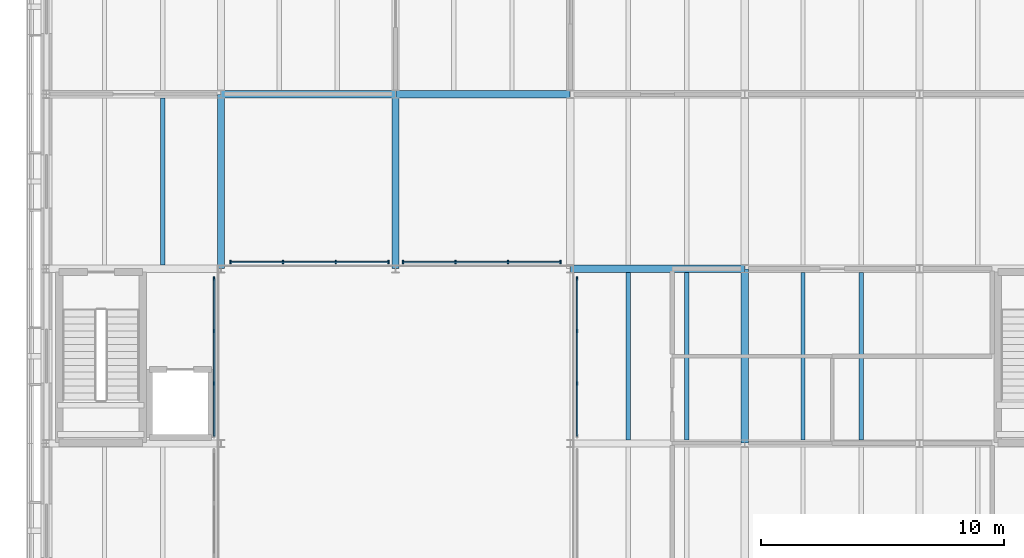
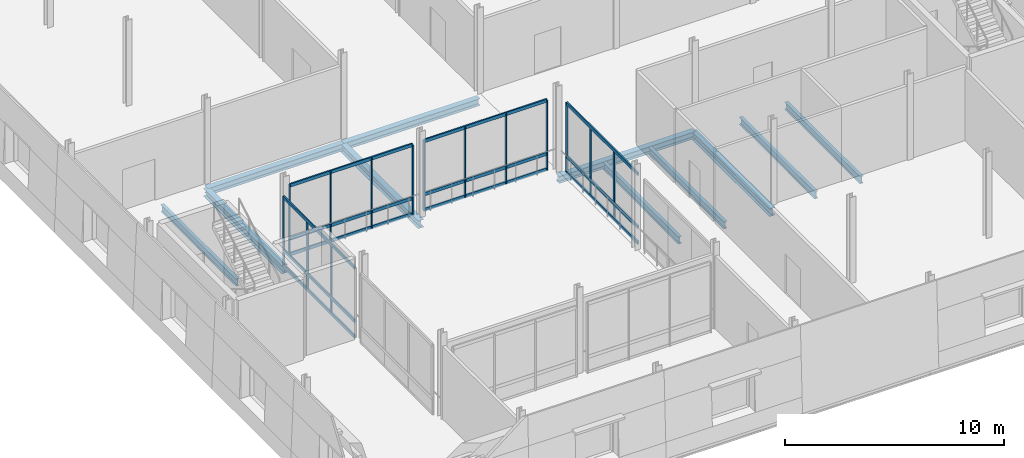
# One storey, part 40 of 121: 26 members, 11 beams, 4 elements without a shape of their own.
"""IFC4 building model written with IfcOpenShell, lengths in metres."""

from ifc_helpers import new_model, si_unit, direction, frame, origin, origin_2d, place, context, subcontext, project, spatial, rectangle, i_section, extrude, material, layer, layer_set, material_profile, profile_set, type_object, element, aggregate, save


model = new_model("IFC4")

# Units and contexts
model_context = context("Model", 3, precision=1e-05, world=origin(), true_north=direction((0.0, 1.0)))
body_context = subcontext(model_context, "Body", "Model", "MODEL_VIEW")
ifc_project = project(units=[si_unit("LENGTHUNIT", "METRE"), si_unit("AREAUNIT", "SQUARE_METRE"), si_unit("VOLUMEUNIT", "CUBIC_METRE"), si_unit("PLANEANGLEUNIT", "RADIAN"), si_unit("MASSUNIT", "GRAM", prefix="KILO")], contexts=[model_context])

# Site, building, storey
site_placement = place(None, origin())
site = spatial("IfcSite", under=ifc_project, at=site_placement, CompositionType="ELEMENT")
building_placement = place(site_placement, origin())
building = spatial("IfcBuilding", under=site, at=building_placement, Name="Narikvali Park Central Library", CompositionType="ELEMENT")
storey_placement = place(building_placement, frame((0.0, 0.0, 5.39990234375)))
storey = spatial("IfcBuildingStorey", under=building, at=storey_placement, Name="L01", CompositionType="ELEMENT", Elevation=5.39990234375)

# Beams
ifc_material_1 = material(Name="Steel S355", Category="steel")
ifc_material_profile_1 = material_profile(ifc_material_1, i_section(OverallWidth=0.179931640625, OverallDepth=0.39990234375, WebThickness=0.008544921875, FlangeThickness=0.013427734375, FilletRadius=0.02099609375, at=origin_2d()), Name="IPE 400")
ifc_profile_set_1 = profile_set([ifc_material_profile_1], Name="Steel S355")
beam_type_1 = type_object("IfcBeamType", Name="Composite Floor Joist IPE400", PredefinedType="JOIST", material=ifc_profile_set_1)
for number, where, z_axis, x_axis, name in (
    (1, (127.199951171875, 21.75, -0.47998046875), (0.0, 1.0, 0.0), (-1.0, 0.0, 0.0), "V6 L01 Composite Joist 2"),
    (2, (146.39990234375, 14.550048828125, -0.47998046875), (0.0, 1.0, 0.0), (-1.0, 0.0, 0.0), "V6 L01 Composite Joist 1"),
    (3, (148.800048828125, 14.550048828125, -0.47998046875), (0.0, 1.0, 0.0), (-1.0, 0.0, 0.0), "V6 L01 Composite Joist 2"),
    (4, (153.60009765625, 14.550048828125, -0.47998046875), (0.0, 1.0, 0.0), (-1.0, 0.0, 0.0), "V6 L01 Composite Joist 1"),
    (5, (156.0, 14.550048828125, -0.47998046875), (0.0, 1.0, 0.0), (-1.0, 0.0, 0.0), "V6 L01 Composite Joist 2"),
):
    element("IfcBeam", number, at=place(storey_placement, frame(where, z_axis=z_axis, x_axis=x_axis)), inside=storey, type_object=beam_type_1, Name=name, PredefinedType="JOIST", context=body_context, shape_type="SweptSolid", body=[
        extrude(i_section(OverallWidth=0.179931640625, OverallDepth=0.39990234375, WebThickness=0.008544921875, FlangeThickness=0.013427734375, FilletRadius=0.02099609375, at=origin_2d()), origin(), (0.0, 0.0, 1.0), 6.89990234375),
    ])

# Curtain wall, members
ifc_material_2 = material(Name="Anodised Bronze Aluminium", Category="aluminium")
ifc_layer = layer(ifc_material_2, 0.219970703125, Name="Anodised Bronze Aluminium")
ifc_layer_set = layer_set([ifc_layer], Name="Anodised Bronze Aluminium")
curtain_wall_type = type_object("IfcCurtainWallType", Name="Atrium Tall Curtain Wall System", PredefinedType="NOTDEFINED", material=ifc_layer_set)
curtain_wall_1_placement = place(storey_placement, origin())
curtain_wall_1 = element("IfcCurtainWall", 6, at=curtain_wall_1_placement, inside=storey, type_object=curtain_wall_type, Name="Atrium Tall Curtain Wall System CW-INT-V6-L01-W2", PredefinedType="NOTDEFINED")
ifc_material_profile_2 = material_profile(ifc_material_2, rectangle(XDim=0.074951171875, YDim=0.179931640625, at=origin_2d()), Name="CW TRANSOM 75x180")
ifc_profile_set_2 = profile_set([ifc_material_profile_2], Name="Anodised Bronze Aluminium")
member_type_1 = type_object("IfcMemberType", Name="Curtain Wall Heavy Transom 75x180", PredefinedType="USERDEFINED", material=ifc_profile_set_2)
member_1_placement = place(storey_placement, frame((129.320068359375, 14.699951171875, 0.030029296875), z_axis=(0.0, 1.0, 0.0), x_axis=(-1.0, 0.0, 0.0)))
member_1 = element("IfcMember", 7, at=member_1_placement, type_object=member_type_1, Name="CW-INT-V6-L01-W2 Transom 00", ObjectType="TRANSOM", PredefinedType="USERDEFINED", context=body_context, shape_type="SweptSolid", body=[
    extrude(rectangle(XDim=0.074951171875, YDim=0.179931640625, at=origin_2d()), origin(), (0.0, 0.0, 1.0), 6.5),
])
member_2_placement = place(storey_placement, frame((129.320068359375, 14.699951171875, 0.900146484375), z_axis=(0.0, 1.0, 0.0), x_axis=(-1.0, 0.0, 0.0)))
member_2 = element("IfcMember", 8, at=member_2_placement, type_object=member_type_1, Name="CW-INT-V6-L01-W2 Transom 01", ObjectType="TRANSOM", PredefinedType="USERDEFINED", context=body_context, shape_type="SweptSolid", body=[
    extrude(rectangle(XDim=0.074951171875, YDim=0.179931640625, at=origin_2d()), origin(), (0.0, 0.0, 1.0), 6.5),
])
member_3_placement = place(storey_placement, frame((129.320068359375, 14.699951171875, 3.8701171875), z_axis=(0.0, 1.0, 0.0), x_axis=(-1.0, 0.0, 0.0)))
member_3 = element("IfcMember", 9, at=member_3_placement, type_object=member_type_1, Name="CW-INT-V6-L01-W2 Transom 02", ObjectType="TRANSOM", PredefinedType="USERDEFINED", context=body_context, shape_type="SweptSolid", body=[
    extrude(rectangle(XDim=0.074951171875, YDim=0.179931640625, at=origin_2d()), origin(), (0.0, 0.0, 1.0), 6.5),
])

curtain_wall_2_placement = place(storey_placement, origin())
curtain_wall_2 = element("IfcCurtainWall", 10, at=curtain_wall_2_placement, inside=storey, type_object=curtain_wall_type, Name="Atrium Tall Curtain Wall System CW-INT-V6-L01-E2", PredefinedType="NOTDEFINED")
member_4_placement = place(storey_placement, frame((144.280029296875, 14.699951171875, 0.030029296875), z_axis=(0.0, 1.0, 0.0), x_axis=(-1.0, 0.0, 0.0)))
member_4 = element("IfcMember", 11, at=member_4_placement, type_object=member_type_1, Name="CW-INT-V6-L01-E2 Transom 00", ObjectType="TRANSOM", PredefinedType="USERDEFINED", context=body_context, shape_type="SweptSolid", body=[
    extrude(rectangle(XDim=0.074951171875, YDim=0.179931640625, at=origin_2d()), origin(), (0.0, 0.0, 1.0), 6.5),
])
member_5_placement = place(storey_placement, frame((144.280029296875, 14.699951171875, 0.900146484375), z_axis=(0.0, 1.0, 0.0), x_axis=(-1.0, 0.0, 0.0)))
member_5 = element("IfcMember", 12, at=member_5_placement, type_object=member_type_1, Name="CW-INT-V6-L01-E2 Transom 01", ObjectType="TRANSOM", PredefinedType="USERDEFINED", context=body_context, shape_type="SweptSolid", body=[
    extrude(rectangle(XDim=0.074951171875, YDim=0.179931640625, at=origin_2d()), origin(), (0.0, 0.0, 1.0), 6.5),
])
member_6_placement = place(storey_placement, frame((144.280029296875, 14.699951171875, 3.8701171875), z_axis=(0.0, 1.0, 0.0), x_axis=(-1.0, 0.0, 0.0)))
member_6 = element("IfcMember", 13, at=member_6_placement, type_object=member_type_1, Name="CW-INT-V6-L01-E2 Transom 02", ObjectType="TRANSOM", PredefinedType="USERDEFINED", context=body_context, shape_type="SweptSolid", body=[
    extrude(rectangle(XDim=0.074951171875, YDim=0.179931640625, at=origin_2d()), origin(), (0.0, 0.0, 1.0), 6.5),
])

curtain_wall_3_placement = place(storey_placement, origin())
curtain_wall_3 = element("IfcCurtainWall", 14, at=curtain_wall_3_placement, inside=storey, type_object=curtain_wall_type, Name="Atrium Tall Curtain Wall System CW-INT-V6-L01-N1", PredefinedType="NOTDEFINED")
member_7_placement = place(storey_placement, frame((130.0, 21.8798828125, 0.030029296875), z_axis=(1.0, 0.0, 0.0), x_axis=(0.0, 1.0, 0.0)))
member_7 = element("IfcMember", 15, at=member_7_placement, type_object=member_type_1, Name="CW-INT-V6-L01-N1 Transom 00", ObjectType="TRANSOM", PredefinedType="USERDEFINED", context=body_context, shape_type="SweptSolid", body=[
    extrude(rectangle(XDim=0.074951171875, YDim=0.179931640625, at=origin_2d()), origin(), (0.0, 0.0, 1.0), 6.5),
])
member_8_placement = place(storey_placement, frame((130.0, 21.8798828125, 0.900146484375), z_axis=(1.0, 0.0, 0.0), x_axis=(0.0, 1.0, 0.0)))
member_8 = element("IfcMember", 16, at=member_8_placement, type_object=member_type_1, Name="CW-INT-V6-L01-N1 Transom 01", ObjectType="TRANSOM", PredefinedType="USERDEFINED", context=body_context, shape_type="SweptSolid", body=[
    extrude(rectangle(XDim=0.074951171875, YDim=0.179931640625, at=origin_2d()), origin(), (0.0, 0.0, 1.0), 6.5),
])
member_9_placement = place(storey_placement, frame((130.0, 21.8798828125, 3.8701171875), z_axis=(1.0, 0.0, 0.0), x_axis=(0.0, 1.0, 0.0)))
member_9 = element("IfcMember", 17, at=member_9_placement, type_object=member_type_1, Name="CW-INT-V6-L01-N1 Transom 02", ObjectType="TRANSOM", PredefinedType="USERDEFINED", context=body_context, shape_type="SweptSolid", body=[
    extrude(rectangle(XDim=0.074951171875, YDim=0.179931640625, at=origin_2d()), origin(), (0.0, 0.0, 1.0), 6.5),
])

curtain_wall_4_placement = place(storey_placement, origin())
curtain_wall_4 = element("IfcCurtainWall", 18, at=curtain_wall_4_placement, inside=storey, type_object=curtain_wall_type, Name="Atrium Tall Curtain Wall System CW-INT-V6-L01-N2", PredefinedType="NOTDEFINED")
member_10_placement = place(storey_placement, frame((137.10009765625, 21.8798828125, 0.030029296875), z_axis=(1.0, 0.0, 0.0), x_axis=(0.0, 1.0, 0.0)))
member_10 = element("IfcMember", 19, at=member_10_placement, type_object=member_type_1, Name="CW-INT-V6-L01-N2 Transom 00", ObjectType="TRANSOM", PredefinedType="USERDEFINED", context=body_context, shape_type="SweptSolid", body=[
    extrude(rectangle(XDim=0.074951171875, YDim=0.179931640625, at=origin_2d()), origin(), (0.0, 0.0, 1.0), 6.5),
])
member_11_placement = place(storey_placement, frame((137.10009765625, 21.8798828125, 0.900146484375), z_axis=(1.0, 0.0, 0.0), x_axis=(0.0, 1.0, 0.0)))
member_11 = element("IfcMember", 20, at=member_11_placement, type_object=member_type_1, Name="CW-INT-V6-L01-N2 Transom 01", ObjectType="TRANSOM", PredefinedType="USERDEFINED", context=body_context, shape_type="SweptSolid", body=[
    extrude(rectangle(XDim=0.074951171875, YDim=0.179931640625, at=origin_2d()), origin(), (0.0, 0.0, 1.0), 6.5),
])
member_12_placement = place(storey_placement, frame((137.10009765625, 21.8798828125, 3.8701171875), z_axis=(1.0, 0.0, 0.0), x_axis=(0.0, 1.0, 0.0)))
member_12 = element("IfcMember", 21, at=member_12_placement, type_object=member_type_1, Name="CW-INT-V6-L01-N2 Transom 02", ObjectType="TRANSOM", PredefinedType="USERDEFINED", context=body_context, shape_type="SweptSolid", body=[
    extrude(rectangle(XDim=0.074951171875, YDim=0.179931640625, at=origin_2d()), origin(), (0.0, 0.0, 1.0), 6.5),
])

# Member
ifc_material_profile_3 = material_profile(ifc_material_2, rectangle(XDim=0.06005859375, YDim=0.14990234375, at=origin_2d()), Name="CW MULLION 60x150")
ifc_profile_set_3 = profile_set([ifc_material_profile_3], Name="Anodised Bronze Aluminium")
member_type_2 = type_object("IfcMemberType", Name="Curtain Wall Mullion 60x150", PredefinedType="MULLION", material=ifc_profile_set_3)
member_13_placement = place(storey_placement, frame((129.320068359375, 16.86669921875, -0.010009765625), z_axis=(0.0, 0.0, 1.0), x_axis=(1.0, 0.0, 0.0)))
member_13 = element("IfcMember", 22, at=member_13_placement, type_object=member_type_2, Name="CW-INT-V6-L01-W2 Mullion 01", PredefinedType="MULLION", context=body_context, shape_type="SweptSolid", body=[
    extrude(rectangle(XDim=0.06005859375, YDim=0.14990234375, at=origin_2d()), origin(), (0.0, 0.0, 1.0), 3.91015625),
])

member_14_placement = place(storey_placement, frame((129.320068359375, 19.033203125, -0.010009765625), z_axis=(0.0, 0.0, 1.0), x_axis=(1.0, 0.0, 0.0)))
member_14 = element("IfcMember", 23, at=member_14_placement, type_object=member_type_2, Name="CW-INT-V6-L01-W2 Mullion 02", PredefinedType="MULLION", context=body_context, shape_type="SweptSolid", body=[
    extrude(rectangle(XDim=0.06005859375, YDim=0.14990234375, at=origin_2d()), origin(), (0.0, 0.0, 1.0), 3.91015625),
])

member_15_placement = place(storey_placement, frame((129.320068359375, 21.199951171875, -0.010009765625), z_axis=(0.0, 0.0, 1.0), x_axis=(1.0, 0.0, 0.0)))
member_15 = element("IfcMember", 24, at=member_15_placement, type_object=member_type_2, Name="CW-INT-V6-L01-W2 Mullion 03", PredefinedType="MULLION", context=body_context, shape_type="SweptSolid", body=[
    extrude(rectangle(XDim=0.06005859375, YDim=0.14990234375, at=origin_2d()), origin(), (0.0, 0.0, 1.0), 3.91015625),
])

aggregate(curtain_wall_1, [member_13, member_14, member_15, member_1, member_2, member_3])

member_16_placement = place(storey_placement, frame((144.280029296875, 16.86669921875, -0.010009765625), z_axis=(0.0, 0.0, 1.0), x_axis=(1.0, 0.0, 0.0)))
member_16 = element("IfcMember", 25, at=member_16_placement, type_object=member_type_2, Name="CW-INT-V6-L01-E2 Mullion 01", PredefinedType="MULLION", context=body_context, shape_type="SweptSolid", body=[
    extrude(rectangle(XDim=0.06005859375, YDim=0.14990234375, at=origin_2d()), origin(), (0.0, 0.0, 1.0), 3.91015625),
])

member_17_placement = place(storey_placement, frame((144.280029296875, 19.033203125, -0.010009765625), z_axis=(0.0, 0.0, 1.0), x_axis=(1.0, 0.0, 0.0)))
member_17 = element("IfcMember", 26, at=member_17_placement, type_object=member_type_2, Name="CW-INT-V6-L01-E2 Mullion 02", PredefinedType="MULLION", context=body_context, shape_type="SweptSolid", body=[
    extrude(rectangle(XDim=0.06005859375, YDim=0.14990234375, at=origin_2d()), origin(), (0.0, 0.0, 1.0), 3.91015625),
])

member_18_placement = place(storey_placement, frame((144.280029296875, 21.199951171875, -0.010009765625), z_axis=(0.0, 0.0, 1.0), x_axis=(1.0, 0.0, 0.0)))
member_18 = element("IfcMember", 27, at=member_18_placement, type_object=member_type_2, Name="CW-INT-V6-L01-E2 Mullion 03", PredefinedType="MULLION", context=body_context, shape_type="SweptSolid", body=[
    extrude(rectangle(XDim=0.06005859375, YDim=0.14990234375, at=origin_2d()), origin(), (0.0, 0.0, 1.0), 3.91015625),
])

aggregate(curtain_wall_2, [member_16, member_17, member_18, member_4, member_5, member_6])

member_19_placement = place(storey_placement, frame((130.0, 21.8798828125, -0.010009765625), z_axis=(0.0, 0.0, 1.0), x_axis=(1.0, 0.0, 0.0)))
member_19 = element("IfcMember", 28, at=member_19_placement, type_object=member_type_2, Name="CW-INT-V6-L01-N1 Mullion 00", PredefinedType="MULLION", context=body_context, shape_type="SweptSolid", body=[
    extrude(rectangle(XDim=0.06005859375, YDim=0.14990234375, at=origin_2d()), origin(), (0.0, 0.0, 1.0), 3.91015625),
])

member_20_placement = place(storey_placement, frame((132.166748046875, 21.8798828125, -0.010009765625), z_axis=(0.0, 0.0, 1.0), x_axis=(1.0, 0.0, 0.0)))
member_20 = element("IfcMember", 29, at=member_20_placement, type_object=member_type_2, Name="CW-INT-V6-L01-N1 Mullion 01", PredefinedType="MULLION", context=body_context, shape_type="SweptSolid", body=[
    extrude(rectangle(XDim=0.06005859375, YDim=0.14990234375, at=origin_2d()), origin(), (0.0, 0.0, 1.0), 3.91015625),
])

member_21_placement = place(storey_placement, frame((134.333251953125, 21.8798828125, -0.010009765625), z_axis=(0.0, 0.0, 1.0), x_axis=(1.0, 0.0, 0.0)))
member_21 = element("IfcMember", 30, at=member_21_placement, type_object=member_type_2, Name="CW-INT-V6-L01-N1 Mullion 02", PredefinedType="MULLION", context=body_context, shape_type="SweptSolid", body=[
    extrude(rectangle(XDim=0.06005859375, YDim=0.14990234375, at=origin_2d()), origin(), (0.0, 0.0, 1.0), 3.91015625),
])

member_22_placement = place(storey_placement, frame((136.5, 21.8798828125, -0.010009765625), z_axis=(0.0, 0.0, 1.0), x_axis=(1.0, 0.0, 0.0)))
member_22 = element("IfcMember", 31, at=member_22_placement, type_object=member_type_2, Name="CW-INT-V6-L01-N1 Mullion 03", PredefinedType="MULLION", context=body_context, shape_type="SweptSolid", body=[
    extrude(rectangle(XDim=0.06005859375, YDim=0.14990234375, at=origin_2d()), origin(), (0.0, 0.0, 1.0), 3.91015625),
])

aggregate(curtain_wall_3, [member_19, member_20, member_21, member_22, member_7, member_8, member_9])

member_23_placement = place(storey_placement, frame((137.10009765625, 21.8798828125, -0.010009765625), z_axis=(0.0, 0.0, 1.0), x_axis=(1.0, 0.0, 0.0)))
member_23 = element("IfcMember", 32, at=member_23_placement, type_object=member_type_2, Name="CW-INT-V6-L01-N2 Mullion 00", PredefinedType="MULLION", context=body_context, shape_type="SweptSolid", body=[
    extrude(rectangle(XDim=0.06005859375, YDim=0.14990234375, at=origin_2d()), origin(), (0.0, 0.0, 1.0), 3.91015625),
])

member_24_placement = place(storey_placement, frame((139.2666015625, 21.8798828125, -0.010009765625), z_axis=(0.0, 0.0, 1.0), x_axis=(1.0, 0.0, 0.0)))
member_24 = element("IfcMember", 33, at=member_24_placement, type_object=member_type_2, Name="CW-INT-V6-L01-N2 Mullion 01", PredefinedType="MULLION", context=body_context, shape_type="SweptSolid", body=[
    extrude(rectangle(XDim=0.06005859375, YDim=0.14990234375, at=origin_2d()), origin(), (0.0, 0.0, 1.0), 3.91015625),
])

member_25_placement = place(storey_placement, frame((141.433349609375, 21.8798828125, -0.010009765625), z_axis=(0.0, 0.0, 1.0), x_axis=(1.0, 0.0, 0.0)))
member_25 = element("IfcMember", 34, at=member_25_placement, type_object=member_type_2, Name="CW-INT-V6-L01-N2 Mullion 02", PredefinedType="MULLION", context=body_context, shape_type="SweptSolid", body=[
    extrude(rectangle(XDim=0.06005859375, YDim=0.14990234375, at=origin_2d()), origin(), (0.0, 0.0, 1.0), 3.91015625),
])

member_26_placement = place(storey_placement, frame((143.60009765625, 21.8798828125, -0.010009765625), z_axis=(0.0, 0.0, 1.0), x_axis=(1.0, 0.0, 0.0)))
member_26 = element("IfcMember", 35, at=member_26_placement, type_object=member_type_2, Name="CW-INT-V6-L01-N2 Mullion 03", PredefinedType="MULLION", context=body_context, shape_type="SweptSolid", body=[
    extrude(rectangle(XDim=0.06005859375, YDim=0.14990234375, at=origin_2d()), origin(), (0.0, 0.0, 1.0), 3.91015625),
])

aggregate(curtain_wall_4, [member_23, member_24, member_25, member_26, member_10, member_11, member_12])

# Beams
ifc_material_profile_4 = material_profile(ifc_material_1, i_section(OverallWidth=0.300048828125, OverallDepth=0.389892578125, WebThickness=0.010986328125, FlangeThickness=0.01904296875, FilletRadius=0.027099609375, at=origin_2d()), Name="HEA 400")
ifc_profile_set_4 = profile_set([ifc_material_profile_4], Name="Steel S355")
beam_type_2 = type_object("IfcBeamType", Name="Primary Girder HEA400", PredefinedType="BEAM", material=ifc_profile_set_4)
beam_1_placement = place(storey_placement, frame((144.008056640625, 21.60009765625, -0.474853515625), z_axis=(1.0, 0.0, 0.0), x_axis=(0.0, 1.0, 0.0)))
element("IfcBeam", 36, at=beam_1_placement, inside=storey, type_object=beam_type_2, Name="V6 L01 Girder X", PredefinedType="BEAM", context=body_context, shape_type="SweptSolid", body=[
    extrude(i_section(OverallWidth=0.300048828125, OverallDepth=0.389892578125, WebThickness=0.010986328125, FlangeThickness=0.01904296875, FilletRadius=0.027099609375, at=origin_2d()), origin(), (0.0, 0.0, 1.0), 7.183837890625),
])
beam_2_placement = place(storey_placement, frame((129.60791015625, 28.800048828125, -0.474853515625), z_axis=(1.0, 0.0, 0.0), x_axis=(0.0, 1.0, 0.0)))
element("IfcBeam", 37, at=beam_2_placement, inside=storey, type_object=beam_type_2, Name="V6 L01 Girder X", PredefinedType="BEAM", context=body_context, shape_type="SweptSolid", body=[
    extrude(i_section(OverallWidth=0.300048828125, OverallDepth=0.389892578125, WebThickness=0.010986328125, FlangeThickness=0.01904296875, FilletRadius=0.027099609375, at=origin_2d()), origin(), (0.0, 0.0, 1.0), 7.18408203125),
])
beam_3_placement = place(storey_placement, frame((136.80810546875, 28.800048828125, -0.474853515625), z_axis=(1.0, 0.0, 0.0), x_axis=(0.0, 1.0, 0.0)))
element("IfcBeam", 38, at=beam_3_placement, inside=storey, type_object=beam_type_2, Name="V6 L01 Girder X", PredefinedType="BEAM", context=body_context, shape_type="SweptSolid", body=[
    extrude(i_section(OverallWidth=0.300048828125, OverallDepth=0.389892578125, WebThickness=0.010986328125, FlangeThickness=0.01904296875, FilletRadius=0.027099609375, at=origin_2d()), origin(), (0.0, 0.0, 1.0), 7.183837890625),
])
ifc_material_profile_5 = material_profile(ifc_material_1, i_section(OverallWidth=0.300048828125, OverallDepth=0.43994140625, WebThickness=0.011474609375, FlangeThickness=0.02099609375, FilletRadius=0.027099609375, at=origin_2d()), Name="HEA 450")
ifc_profile_set_5 = profile_set([ifc_material_profile_5], Name="Steel S355")
beam_type_3 = type_object("IfcBeamType", Name="Primary Girder HEA450", PredefinedType="BEAM", material=ifc_profile_set_5)
for number, where, z_axis, x_axis, name in (
    (39, (129.60009765625, 21.60791015625, -0.5), (0.0, 1.0, 0.0), (-1.0, 0.0, 0.0), "V6 L01 Girder Y"),
    (40, (136.800048828125, 21.60791015625, -0.5), (0.0, 1.0, 0.0), (-1.0, 0.0, 0.0), "V6 L01 Girder Y"),
    (41, (151.199951171875, 14.407958984375, -0.5), (0.0, 1.0, 0.0), (-1.0, 0.0, 0.0), "V6 L01 Girder Y"),
):
    element("IfcBeam", number, at=place(storey_placement, frame(where, z_axis=z_axis, x_axis=x_axis)), inside=storey, type_object=beam_type_3, Name=name, PredefinedType="BEAM", context=body_context, shape_type="SweptSolid", body=[
        extrude(i_section(OverallWidth=0.300048828125, OverallDepth=0.43994140625, WebThickness=0.011474609375, FlangeThickness=0.02099609375, FilletRadius=0.027099609375, at=origin_2d()), origin(), (0.0, 0.0, 1.0), 7.18408203125),
    ])

save(model, "model.ifc")
